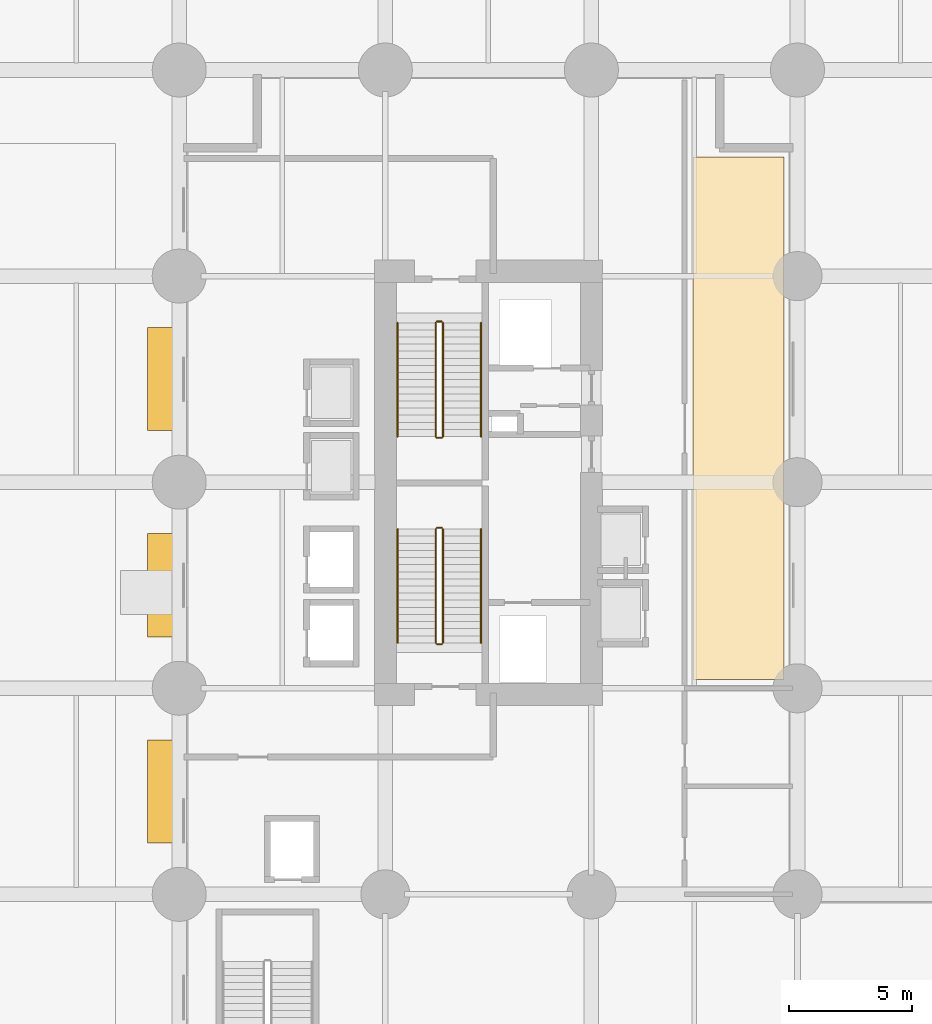
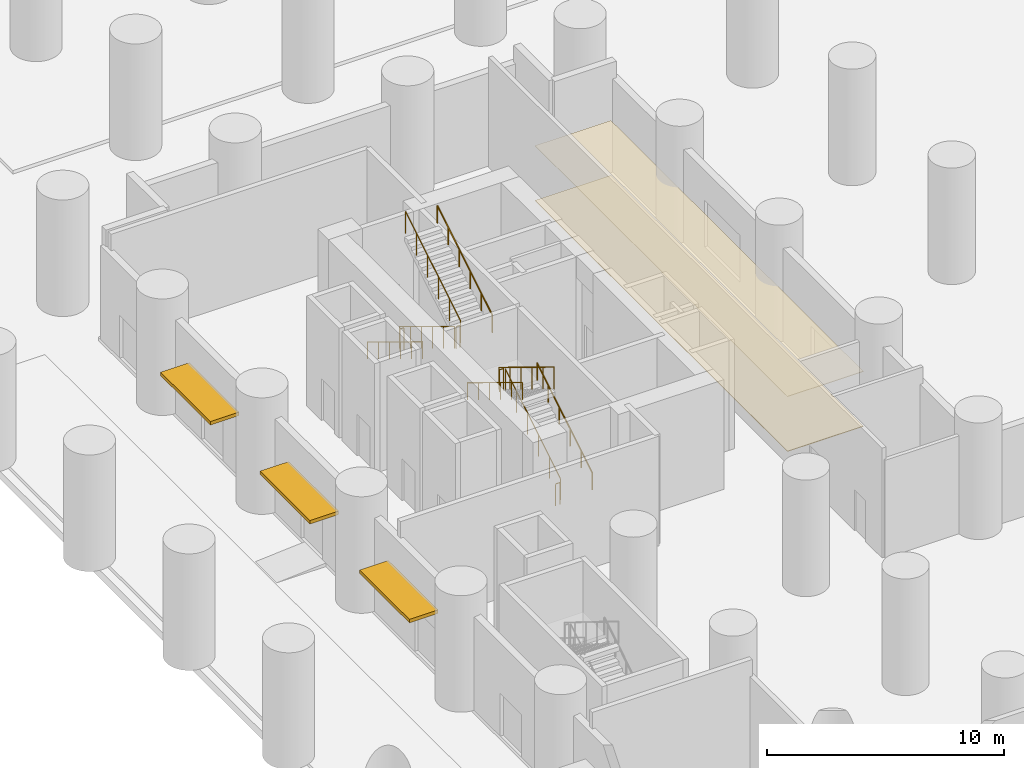
# One storey, part 12 of 13: 12 railings, 3 shading devices, 2 coverings.
"""IFC4 building model written with IfcOpenShell, lengths in metres."""

from ifc_helpers import new_model, si_unit, direction, frame, origin, origin_2d, place, context, subcontext, project, spatial, polyline, rectangle, circle, outline, extrude, material, layer, layer_set, type_object, element, save


model = new_model("IFC4")

# Units and contexts
model_context = context("Model", 3, precision=1e-05, world=origin(), true_north=direction((0.0, 1.0)))
body_context = subcontext(model_context, "Body", "Model", "MODEL_VIEW")
ifc_project = project(units=[si_unit("LENGTHUNIT", "METRE"), si_unit("AREAUNIT", "SQUARE_METRE"), si_unit("VOLUMEUNIT", "CUBIC_METRE"), si_unit("PLANEANGLEUNIT", "RADIAN"), si_unit("MASSUNIT", "GRAM", prefix="KILO")], contexts=[model_context])

# Site, building, storey
site_placement = place(None, origin())
site = spatial("IfcSite", under=ifc_project, at=site_placement, CompositionType="ELEMENT")
building_placement = place(site_placement, origin())
building = spatial("IfcBuilding", under=site, at=building_placement, Name="Koriwani Terraces Tower", CompositionType="ELEMENT")
storey_placement = place(building_placement, origin())
storey = spatial("IfcBuildingStorey", under=building, at=storey_placement, Name="L00", CompositionType="ELEMENT", Elevation=0.0)

# Coverings
ifc_material_1 = material(Name="Fire-Rated Acoustic Gypsum Partition", Category="masonry")
ifc_layer_1 = layer(ifc_material_1, 0.02490234375, Name="Fire-Rated Acoustic Gypsum Partition")
ifc_layer_set_1 = layer_set([ifc_layer_1], Name="Fire-Rated Acoustic Gypsum Partition")
covering_type_1 = type_object("IfcCoveringType", Name="CEILING_ACOUSTIC_GYPSUM", PredefinedType="CEILING", material=ifc_layer_set_1)
covering_1_placement = place(storey_placement, frame((0.0, 0.0, 2.824951171875)))
element("IfcCovering", 1, at=covering_1_placement, inside=storey, type_object=covering_type_1, Name="L00 Suspended Acoustic Gypsum Ceiling", PredefinedType="CEILING", context=body_context, shape_type="SweptSolid", body=[
    extrude(outline(polyline([(29.35009765625, 42.35009765625), (29.35009765625, 63.64990234375), (33.050048828125, 63.64990234375), (33.050048828125, 42.35009765625), (29.35009765625, 42.35009765625)])), origin(), (0.0, 0.0, 1.0), 0.025146484375),
])
ifc_material_2 = material(Name="Polished Andean Slate Flooring", Category="masonry")
ifc_layer_2 = layer(ifc_material_2, 0.030029296875, Name="Polished Andean Slate Flooring")
ifc_layer_set_2 = layer_set([ifc_layer_2], Name="Polished Andean Slate Flooring")
covering_type_2 = type_object("IfcCoveringType", Name="FLOORING_ANDEAN_STONE", PredefinedType="FLOORING", material=ifc_layer_set_2)
covering_2_placement = place(storey_placement, origin())
element("IfcCovering", 2, at=covering_2_placement, inside=storey, type_object=covering_type_2, Name="L00 Polished Andean Slate Floor Finish", PredefinedType="FLOORING", context=body_context, shape_type="SweptSolid", body=[
    extrude(outline(polyline([(29.35009765625, 42.35009765625), (29.35009765625, 63.64990234375), (33.050048828125, 63.64990234375), (33.050048828125, 42.35009765625), (29.35009765625, 42.35009765625)])), origin(), (0.0, 0.0, 1.0), 0.030029296875),
])

# Railings
ifc_material_3 = material(Name="Steel ASTM A572 Grade 50", Category="steel")
railing_type_1 = type_object("IfcRailingType", Name="GUARD_STAIR_WELL_1120", PredefinedType="GUARDRAIL", material=ifc_material_3)
railing_1_placement = place(storey_placement, frame((19.14990234375, 43.85009765625, 0.176513671875)))
element("IfcRailing", 3, at=railing_1_placement, inside=storey, type_object=railing_type_1, Name="L00 ST-W1 stair guard 1", PredefinedType="GUARDRAIL", context=body_context, shape_type="SweptSolid", body=[
    extrude(circle(Radius=0.02392578125, at=origin_2d()), frame((0.0, 0.0, 1.1259765625), z_axis=(0.0, 0.854263648073, 0.51983999421), x_axis=(-1.0, 0.0, 0.0)), (0.0, 0.0, 1.0), 5.431396484375),
    extrude(circle(Radius=0.02099609375, at=origin_2d()), origin(), (0.0, 0.0, 1.0), 1.101806640625),
    extrude(circle(Radius=0.02099609375, at=origin_2d()), frame((0.0, 0.927978515625, 0.564697265625)), (0.0, 0.0, 1.0), 1.101806640625),
    extrude(circle(Radius=0.02099609375, at=origin_2d()), frame((0.0, 1.85595703125, 1.12939453125)), (0.0, 0.0, 1.0), 1.101806640625),
    extrude(circle(Radius=0.02099609375, at=origin_2d()), frame((0.0, 2.783935546875, 1.694091796875)), (0.0, 0.0, 1.0), 1.101806640625),
    extrude(circle(Radius=0.02099609375, at=origin_2d()), frame((0.0, 3.7119140625, 2.2587890625)), (0.0, 0.0, 1.0), 1.101806640625),
    extrude(circle(Radius=0.02099609375, at=origin_2d()), frame((0.0, 4.639892578125, 2.823486328125)), (0.0, 0.0, 1.0), 1.101806640625),
])
railing_2_placement = place(storey_placement, frame((19.10009765625, 48.5400390625, 3.0)))
element("IfcRailing", 4, at=railing_2_placement, inside=storey, type_object=railing_type_1, Name="L00 ST-W1 stair guard 2", PredefinedType="GUARDRAIL", context=body_context, shape_type="SweptSolid", body=[
    extrude(circle(Radius=0.02392578125, at=origin_2d()), frame((0.0, 0.0, 1.1259765625), z_axis=(-1.0, 0.0, 0.0), x_axis=(0.0, -1.0, 0.0)), (0.0, 0.0, 1.0), 0.2001953125),
    extrude(circle(Radius=0.02099609375, at=origin_2d()), origin(), (0.0, 0.0, 1.0), 1.101806640625),
    extrude(circle(Radius=0.02099609375, at=origin_2d()), frame((-0.2001953125, 0.0, 0.0)), (0.0, 0.0, 1.0), 1.101806640625),
])
railing_3_placement = place(storey_placement, frame((18.85009765625, 48.489990234375, 3.176513671875)))
element("IfcRailing", 5, at=railing_3_placement, inside=storey, type_object=railing_type_1, Name="L00 ST-W1 stair guard 3", PredefinedType="GUARDRAIL", context=body_context, shape_type="SweptSolid", body=[
    extrude(circle(Radius=0.02392578125, at=origin_2d()), frame((0.0, 0.0, 1.1259765625), z_axis=(0.0, -0.854263648073, 0.51983999421), x_axis=(1.0, 0.0, 0.0)), (0.0, 0.0, 1.0), 5.431396484375),
    extrude(circle(Radius=0.02099609375, at=origin_2d()), origin(), (0.0, 0.0, 1.0), 1.101806640625),
    extrude(circle(Radius=0.02099609375, at=origin_2d()), frame((0.0, -0.927978515625, 0.564697265625)), (0.0, 0.0, 1.0), 1.101806640625),
    extrude(circle(Radius=0.02099609375, at=origin_2d()), frame((0.0, -1.85595703125, 1.12939453125)), (0.0, 0.0, 1.0), 1.101806640625),
    extrude(circle(Radius=0.02099609375, at=origin_2d()), frame((0.0, -2.783935546875, 1.694091796875)), (0.0, 0.0, 1.0), 1.101806640625),
    extrude(circle(Radius=0.02099609375, at=origin_2d()), frame((0.0, -3.7119140625, 2.2587890625)), (0.0, 0.0, 1.0), 1.101806640625),
    extrude(circle(Radius=0.02099609375, at=origin_2d()), frame((0.0, -4.639892578125, 2.823486328125)), (0.0, 0.0, 1.0), 1.101806640625),
])
railing_4_placement = place(storey_placement, frame((19.10009765625, 43.800048828125, 0.0)))
element("IfcRailing", 6, at=railing_4_placement, inside=storey, type_object=railing_type_1, Name="L00 ST-W1 stair guard 4", PredefinedType="GUARDRAIL", context=body_context, shape_type="SweptSolid", body=[
    extrude(circle(Radius=0.02392578125, at=origin_2d()), frame((0.0, 0.0, 1.1259765625), z_axis=(-1.0, 0.0, 0.0), x_axis=(0.0, -1.0, 0.0)), (0.0, 0.0, 1.0), 0.2001953125),
    extrude(circle(Radius=0.02099609375, at=origin_2d()), origin(), (0.0, 0.0, 1.0), 1.101806640625),
    extrude(circle(Radius=0.02099609375, at=origin_2d()), frame((-0.2001953125, 0.0, 0.0)), (0.0, 0.0, 1.0), 1.101806640625),
])
railing_5_placement = place(storey_placement, frame((18.85009765625, 56.89990234375, 0.176513671875)))
element("IfcRailing", 7, at=railing_5_placement, inside=storey, type_object=railing_type_1, Name="L00 ST-W2 stair guard 1", PredefinedType="GUARDRAIL", context=body_context, shape_type="SweptSolid", body=[
    extrude(circle(Radius=0.02392578125, at=origin_2d()), frame((0.0, 0.0, 1.1259765625), z_axis=(0.0, -0.854263648073, 0.51983999421), x_axis=(1.0, 0.0, 0.0)), (0.0, 0.0, 1.0), 5.431396484375),
    extrude(circle(Radius=0.02099609375, at=origin_2d()), origin(), (0.0, 0.0, 1.0), 1.101806640625),
    extrude(circle(Radius=0.02099609375, at=origin_2d()), frame((0.0, -0.927978515625, 0.564697265625)), (0.0, 0.0, 1.0), 1.101806640625),
    extrude(circle(Radius=0.02099609375, at=origin_2d()), frame((0.0, -1.85595703125, 1.12939453125)), (0.0, 0.0, 1.0), 1.101806640625),
    extrude(circle(Radius=0.02099609375, at=origin_2d()), frame((0.0, -2.783935546875, 1.694091796875)), (0.0, 0.0, 1.0), 1.101806640625),
    extrude(circle(Radius=0.02099609375, at=origin_2d()), frame((0.0, -3.7119140625, 2.2587890625)), (0.0, 0.0, 1.0), 1.101806640625),
    extrude(circle(Radius=0.02099609375, at=origin_2d()), frame((0.0, -4.639892578125, 2.823486328125)), (0.0, 0.0, 1.0), 1.101806640625),
])
railing_6_placement = place(storey_placement, frame((18.89990234375, 52.2099609375, 3.0)))
element("IfcRailing", 8, at=railing_6_placement, inside=storey, type_object=railing_type_1, Name="L00 ST-W2 stair guard 2", PredefinedType="GUARDRAIL", context=body_context, shape_type="SweptSolid", body=[
    extrude(circle(Radius=0.02392578125, at=origin_2d()), frame((0.0, 0.0, 1.1259765625), z_axis=(1.0, 0.0, 0.0), x_axis=(0.0, 1.0, 0.0)), (0.0, 0.0, 1.0), 0.2001953125),
    extrude(circle(Radius=0.02099609375, at=origin_2d()), origin(), (0.0, 0.0, 1.0), 1.101806640625),
    extrude(circle(Radius=0.02099609375, at=origin_2d()), frame((0.2001953125, 0.0, 0.0)), (0.0, 0.0, 1.0), 1.101806640625),
])
railing_7_placement = place(storey_placement, frame((19.14990234375, 52.260009765625, 3.176513671875)))
element("IfcRailing", 9, at=railing_7_placement, inside=storey, type_object=railing_type_1, Name="L00 ST-W2 stair guard 3", PredefinedType="GUARDRAIL", context=body_context, shape_type="SweptSolid", body=[
    extrude(circle(Radius=0.02392578125, at=origin_2d()), frame((0.0, 0.0, 1.1259765625), z_axis=(0.0, 0.854263648073, 0.51983999421), x_axis=(-1.0, 0.0, 0.0)), (0.0, 0.0, 1.0), 5.431396484375),
    extrude(circle(Radius=0.02099609375, at=origin_2d()), origin(), (0.0, 0.0, 1.0), 1.101806640625),
    extrude(circle(Radius=0.02099609375, at=origin_2d()), frame((0.0, 0.927978515625, 0.564697265625)), (0.0, 0.0, 1.0), 1.101806640625),
    extrude(circle(Radius=0.02099609375, at=origin_2d()), frame((0.0, 1.85595703125, 1.12939453125)), (0.0, 0.0, 1.0), 1.101806640625),
    extrude(circle(Radius=0.02099609375, at=origin_2d()), frame((0.0, 2.783935546875, 1.694091796875)), (0.0, 0.0, 1.0), 1.101806640625),
    extrude(circle(Radius=0.02099609375, at=origin_2d()), frame((0.0, 3.7119140625, 2.2587890625)), (0.0, 0.0, 1.0), 1.101806640625),
    extrude(circle(Radius=0.02099609375, at=origin_2d()), frame((0.0, 4.639892578125, 2.823486328125)), (0.0, 0.0, 1.0), 1.101806640625),
])
railing_8_placement = place(storey_placement, frame((18.89990234375, 56.949951171875, 0.0)))
element("IfcRailing", 10, at=railing_8_placement, inside=storey, type_object=railing_type_1, Name="L00 ST-W2 stair guard 4", PredefinedType="GUARDRAIL", context=body_context, shape_type="SweptSolid", body=[
    extrude(circle(Radius=0.02392578125, at=origin_2d()), frame((0.0, 0.0, 1.1259765625), z_axis=(1.0, 0.0, 0.0), x_axis=(0.0, 1.0, 0.0)), (0.0, 0.0, 1.0), 0.2001953125),
    extrude(circle(Radius=0.02099609375, at=origin_2d()), origin(), (0.0, 0.0, 1.0), 1.101806640625),
    extrude(circle(Radius=0.02099609375, at=origin_2d()), frame((0.2001953125, 0.0, 0.0)), (0.0, 0.0, 1.0), 1.101806640625),
])
railing_type_2 = type_object("IfcRailingType", Name="HANDRAIL_STAIR_920", PredefinedType="HANDRAIL", material=ifc_material_3)
railing_9_placement = place(storey_placement, frame((20.699951171875, 43.85009765625, 0.176513671875)))
element("IfcRailing", 11, at=railing_9_placement, inside=storey, type_object=railing_type_2, Name="L00 ST-W1 stair handrail 1", PredefinedType="HANDRAIL", context=body_context, shape_type="SweptSolid", body=[
    extrude(circle(Radius=0.02392578125, at=origin_2d()), frame((0.0, 0.0, 0.8759765625), z_axis=(0.0, 0.854263648073, 0.51983999421), x_axis=(-1.0, 0.0, 0.0)), (0.0, 0.0, 1.0), 5.431396484375),
    extrude(circle(Radius=0.02099609375, at=origin_2d()), origin(), (0.0, 0.0, 1.0), 0.851806640625),
    extrude(circle(Radius=0.02099609375, at=origin_2d()), frame((0.0, 0.927978515625, 0.564697265625)), (0.0, 0.0, 1.0), 0.851806640625),
    extrude(circle(Radius=0.02099609375, at=origin_2d()), frame((0.0, 1.85595703125, 1.12939453125)), (0.0, 0.0, 1.0), 0.851806640625),
    extrude(circle(Radius=0.02099609375, at=origin_2d()), frame((0.0, 2.783935546875, 1.694091796875)), (0.0, 0.0, 1.0), 0.851806640625),
    extrude(circle(Radius=0.02099609375, at=origin_2d()), frame((0.0, 3.7119140625, 2.2587890625)), (0.0, 0.0, 1.0), 0.851806640625),
    extrude(circle(Radius=0.02099609375, at=origin_2d()), frame((0.0, 4.639892578125, 2.823486328125)), (0.0, 0.0, 1.0), 0.851806640625),
])
for number, where, name in (
    (12, (17.300048828125, 48.489990234375, 3.176513671875), "L00 ST-W1 stair handrail 2"),
    (13, (17.300048828125, 56.89990234375, 0.176513671875), "L00 ST-W2 stair handrail 1"),
):
    element("IfcRailing", number, at=place(storey_placement, frame(where)), inside=storey, type_object=railing_type_2, Name=name, PredefinedType="HANDRAIL", context=body_context, shape_type="SweptSolid", body=[
        extrude(circle(Radius=0.02392578125, at=origin_2d()), frame((0.0, 0.0, 0.8759765625), z_axis=(0.0, -0.854263648073, 0.51983999421), x_axis=(1.0, 0.0, 0.0)), (0.0, 0.0, 1.0), 5.431396484375),
        extrude(circle(Radius=0.02099609375, at=origin_2d()), origin(), (0.0, 0.0, 1.0), 0.851806640625),
        extrude(circle(Radius=0.02099609375, at=origin_2d()), frame((0.0, -0.927978515625, 0.564697265625)), (0.0, 0.0, 1.0), 0.851806640625),
        extrude(circle(Radius=0.02099609375, at=origin_2d()), frame((0.0, -1.85595703125, 1.12939453125)), (0.0, 0.0, 1.0), 0.851806640625),
        extrude(circle(Radius=0.02099609375, at=origin_2d()), frame((0.0, -2.783935546875, 1.694091796875)), (0.0, 0.0, 1.0), 0.851806640625),
        extrude(circle(Radius=0.02099609375, at=origin_2d()), frame((0.0, -3.7119140625, 2.2587890625)), (0.0, 0.0, 1.0), 0.851806640625),
        extrude(circle(Radius=0.02099609375, at=origin_2d()), frame((0.0, -4.639892578125, 2.823486328125)), (0.0, 0.0, 1.0), 0.851806640625),
    ])
railing_10_placement = place(storey_placement, frame((20.699951171875, 52.260009765625, 3.176513671875)))
element("IfcRailing", 14, at=railing_10_placement, inside=storey, type_object=railing_type_2, Name="L00 ST-W2 stair handrail 2", PredefinedType="HANDRAIL", context=body_context, shape_type="SweptSolid", body=[
    extrude(circle(Radius=0.02392578125, at=origin_2d()), frame((0.0, 0.0, 0.8759765625), z_axis=(0.0, 0.854263648073, 0.51983999421), x_axis=(-1.0, 0.0, 0.0)), (0.0, 0.0, 1.0), 5.431396484375),
    extrude(circle(Radius=0.02099609375, at=origin_2d()), origin(), (0.0, 0.0, 1.0), 0.851806640625),
    extrude(circle(Radius=0.02099609375, at=origin_2d()), frame((0.0, 0.927978515625, 0.564697265625)), (0.0, 0.0, 1.0), 0.851806640625),
    extrude(circle(Radius=0.02099609375, at=origin_2d()), frame((0.0, 1.85595703125, 1.12939453125)), (0.0, 0.0, 1.0), 0.851806640625),
    extrude(circle(Radius=0.02099609375, at=origin_2d()), frame((0.0, 2.783935546875, 1.694091796875)), (0.0, 0.0, 1.0), 0.851806640625),
    extrude(circle(Radius=0.02099609375, at=origin_2d()), frame((0.0, 3.7119140625, 2.2587890625)), (0.0, 0.0, 1.0), 0.851806640625),
    extrude(circle(Radius=0.02099609375, at=origin_2d()), frame((0.0, 4.639892578125, 2.823486328125)), (0.0, 0.0, 1.0), 0.851806640625),
])

# Shading devices
ifc_material_4 = material(Name="Anodised Bronze Aluminium", Category="aluminium")
ifc_layer_3 = layer(ifc_material_4, 0.179931640625, Name="Anodised Bronze Aluminium")
ifc_layer_set_3 = layer_set([ifc_layer_3], Name="Anodised Bronze Aluminium")
shading_device_type = type_object("IfcShadingDeviceType", Name="SOLAR_SUNSHADE_CANOPY_1400", PredefinedType="AWNING", material=ifc_layer_set_3)
for number, where, z_axis, x_axis, name in (
    (15, (7.800048828125, 37.800048828125, 3.01025390625), (0.0, 0.0, 1.0), (1.0, 0.0, 0.0), "L00 West Arrival Entrance Solar Canopy 2"),
    (16, (7.800048828125, 46.199951171875, 3.01025390625), (0.0, 0.0, 1.0), (1.0, 0.0, 0.0), "L00 West Arrival Entrance Solar Canopy 3"),
    (17, (7.800048828125, 54.60009765625, 3.01025390625), (0.0, 0.0, 1.0), (1.0, 0.0, 0.0), "L00 West Arrival Entrance Solar Canopy 4"),
):
    element("IfcShadingDevice", number, at=place(storey_placement, frame(where, z_axis=z_axis, x_axis=x_axis)), inside=storey, type_object=shading_device_type, Name=name, PredefinedType="AWNING", context=body_context, shape_type="SweptSolid", body=[
        extrude(rectangle(XDim=1.39990234375, YDim=4.199951171875, at=origin_2d()), origin(), (0.0, 0.0, 1.0), 0.179931640625),
    ])

save(model, "model.ifc")
